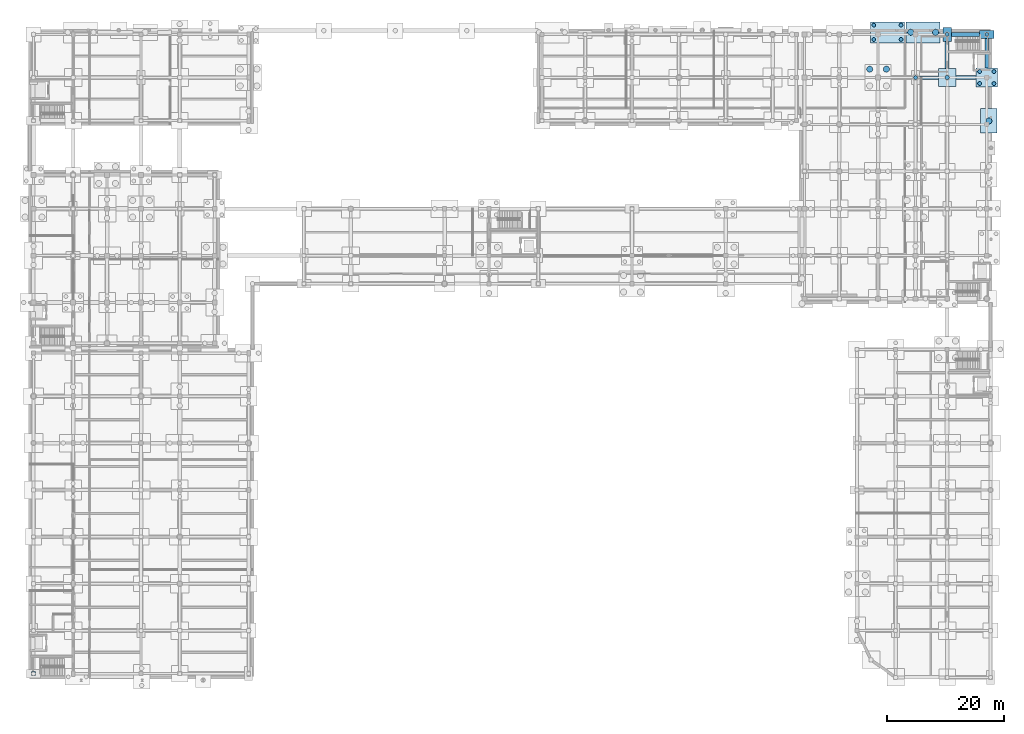
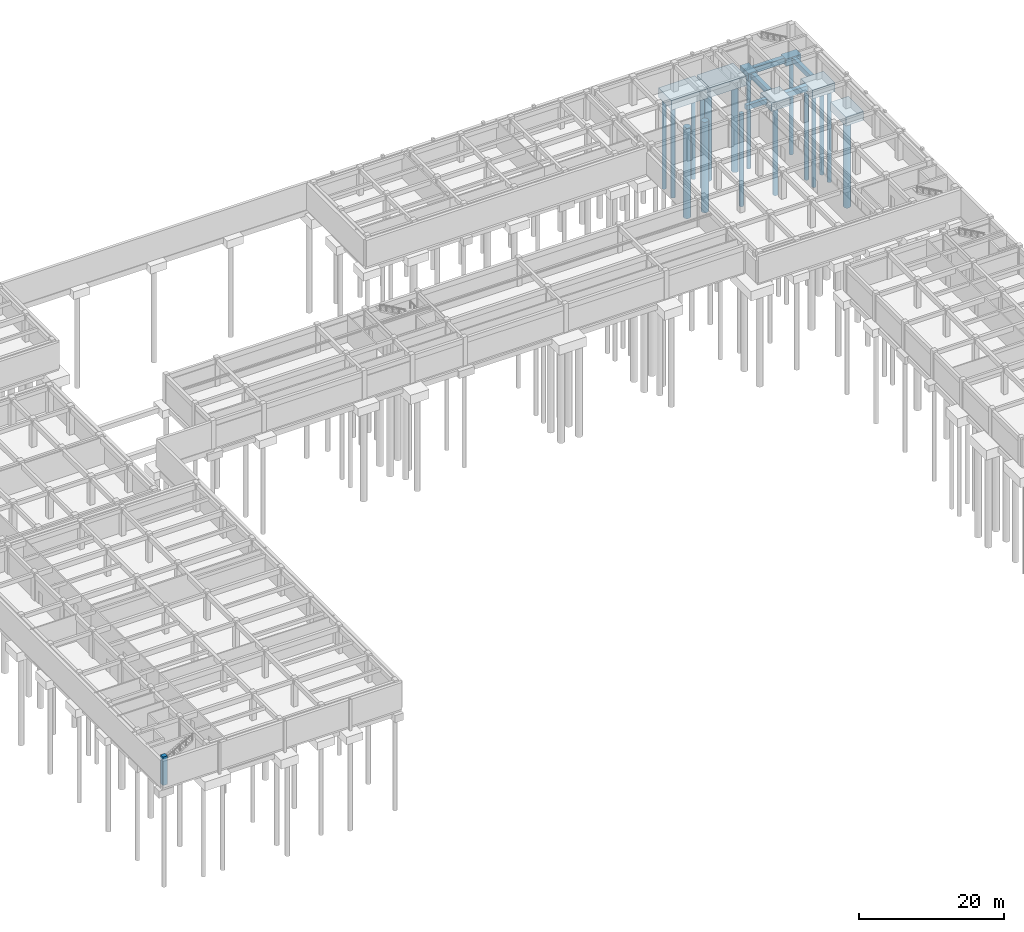
# One storey, part 12 of 35: 17 piles, 12 footings, 1 column.
"""IFC4 building model written with IfcOpenShell, lengths in metres."""

from ifc_helpers import new_model, si_unit, direction, frame, origin, origin_2d, place, context, subcontext, project, spatial, polyline, rectangle, circle, outline, extrude, material, layer, layer_set, material_profile, profile_set, type_object, element, save


model = new_model("IFC4")

# Units and contexts
model_context = context("Model", 3, precision=1e-05, world=origin(), true_north=direction((0.0, 1.0)))
body_context = subcontext(model_context, "Body", "Model", "MODEL_VIEW")
ifc_project = project(units=[si_unit("LENGTHUNIT", "METRE"), si_unit("AREAUNIT", "SQUARE_METRE"), si_unit("VOLUMEUNIT", "CUBIC_METRE"), si_unit("PLANEANGLEUNIT", "RADIAN"), si_unit("MASSUNIT", "GRAM", prefix="KILO")], contexts=[model_context])

# Site, building, storey
site_placement = place(None, origin())
site = spatial("IfcSite", under=ifc_project, at=site_placement, CompositionType="ELEMENT")
building_placement = place(site_placement, origin())
building = spatial("IfcBuilding", under=site, at=building_placement, Name="Cinchona Park Media Centre", CompositionType="ELEMENT")
storey_placement = place(building_placement, frame((0.0, 0.0, -4.800048828125)))
storey = spatial("IfcBuildingStorey", under=building, at=storey_placement, Name="B1", CompositionType="ELEMENT", Elevation=-4.800048828125)

# Footings
ifc_material_1 = material(Name="Concrete C40/50", Category="concrete")
ifc_layer_1 = layer(ifc_material_1, 0.800048828125)
ifc_layer_set_1 = layer_set([ifc_layer_1], Name="Concrete C40/50")
footing_type_1 = type_object("IfcFootingType", Name="FTG-BEAM-FB01", PredefinedType="FOOTING_BEAM", material=ifc_layer_set_1)
footing_1_placement = place(storey_placement, frame((0.0, 0.0, -1.280029296875)))
element("IfcFooting", 1, at=footing_1_placement, inside=storey, type_object=footing_type_1, Name="Ground Tie Beam FB01", PredefinedType="FOOTING_BEAM", context=body_context, shape_type="SweptSolid", body=[
    extrude(outline(polyline([(159.89990234375, 109.699951171875), (163.10009765625, 109.699951171875), (163.10009765625, 110.300048828125), (159.89990234375, 110.300048828125), (159.89990234375, 109.699951171875)])), origin(), (0.0, 0.0, 1.0), 0.800048828125),
])
footing_2_placement = place(storey_placement, frame((0.0, 0.0, -1.280029296875)))
element("IfcFooting", 2, at=footing_2_placement, inside=storey, type_object=footing_type_1, Name="Ground Tie Beam FB01", PredefinedType="FOOTING_BEAM", context=body_context, shape_type="SweptSolid", body=[
    extrude(outline(polyline([(171.06005859375, 111.60009765625), (171.659912109375, 111.60009765625), (171.659912109375, 116.659912109375), (171.06005859375, 116.659912109375), (171.06005859375, 111.60009765625)])), origin(), (0.0, 0.0, 1.0), 0.800048828125),
])
ifc_material_2 = material(Name="Concrete C40/50", Category="concrete")
ifc_layer_2 = layer(ifc_material_2, 0.89990234375)
ifc_layer_set_2 = layer_set([ifc_layer_2], Name="Concrete C40/50")
footing_type_2 = type_object("IfcFootingType", Name="FTG-BEAM-FB02", PredefinedType="FOOTING_BEAM", material=ifc_layer_set_2)
footing_3_placement = place(storey_placement, frame((0.0, 0.0, -1.3798828125)))
element("IfcFooting", 3, at=footing_3_placement, inside=storey, type_object=footing_type_2, Name="Ground Tie Beam FB02", PredefinedType="FOOTING_BEAM", context=body_context, shape_type="SweptSolid", body=[
    extrude(outline(polyline([(166.10009765625, 109.64990234375), (169.56005859375, 109.64990234375), (169.56005859375, 110.35009765625), (166.10009765625, 110.35009765625), (166.10009765625, 109.64990234375)])), origin(), (0.0, 0.0, 1.0), 0.89990234375),
])
footing_4_placement = place(storey_placement, frame((0.0, 0.0, -1.3798828125)))
element("IfcFooting", 4, at=footing_4_placement, inside=storey, type_object=footing_type_2, Name="Ground Tie Beam FB02", PredefinedType="FOOTING_BEAM", context=body_context, shape_type="SweptSolid", body=[
    extrude(outline(polyline([(165.300048828125, 117.010009765625), (170.159912109375, 117.010009765625), (170.159912109375, 117.7099609375), (165.300048828125, 117.7099609375), (165.300048828125, 117.010009765625)])), origin(), (0.0, 0.0, 1.0), 0.89990234375),
])
footing_5_placement = place(storey_placement, frame((0.0, 0.0, -1.3798828125)))
element("IfcFooting", 5, at=footing_5_placement, inside=storey, type_object=footing_type_2, Name="Ground Tie Beam FB02", PredefinedType="FOOTING_BEAM", context=body_context, shape_type="SweptSolid", body=[
    extrude(outline(polyline([(164.25, 111.5), (164.949951171875, 111.5), (164.949951171875, 116.159912109375), (164.25, 116.159912109375), (164.25, 111.5)])), origin(), (0.0, 0.0, 1.0), 0.89990234375),
])

# Piles
ifc_material_3 = material(Name="Concrete C40/50", Category="concrete")
ifc_material_profile_1 = material_profile(ifc_material_3, circle(Radius=0.52490234375, at=origin_2d()), Name="BORED PILE 1050")
ifc_profile_set_1 = profile_set([ifc_material_profile_1], Name="Concrete C40/50")
pile_type_1 = type_object("IfcPileType", Name="PILE-BP1050", PredefinedType="BORED", material=ifc_profile_set_1)
for number, where, z_axis, x_axis, name in (
    (6, (151.375, 111.425048828125, -1.97998046875), (0.0, 0.0, -1.0), (1.0, 0.0, 0.0), "Bored Pile P1050"),
    (7, (154.22509765625, 111.425048828125, -1.97998046875), (0.0, 0.0, -1.0), (1.0, 0.0, 0.0), "Bored Pile P1050"),
    (8, (158.375, 117.719970703125, -1.97998046875), (0.0, 0.0, -1.0), (1.0, 0.0, 0.0), "Bored Pile P1050"),
    (9, (162.625, 117.719970703125, -1.97998046875), (0.0, 0.0, -1.0), (1.0, 0.0, 0.0), "Bored Pile P1050"),
):
    element("IfcPile", number, at=place(storey_placement, frame(where, z_axis=z_axis, x_axis=x_axis)), inside=storey, type_object=pile_type_1, Name=name, PredefinedType="BORED", context=body_context, shape_type="SweptSolid", body=[
        extrude(circle(Radius=0.52490234375, at=origin_2d()), origin(), (0.0, 0.0, 1.0), 15.219970703125),
    ])
pile_1_placement = place(storey_placement, frame((171.719970703125, 102.60009765625, -1.8798828125), z_axis=(0.0, 0.0, -1.0), x_axis=(1.0, 0.0, 0.0)))
element("IfcPile", 10, at=pile_1_placement, inside=storey, type_object=pile_type_1, Name="Bored Pile P1050", PredefinedType="BORED", context=body_context, shape_type="SweptSolid", body=[
    extrude(circle(Radius=0.52490234375, at=origin_2d()), origin(), (0.0, 0.0, 1.0), 15.320068359375),
])
ifc_material_4 = material(Name="Concrete C40/50", Category="concrete")
ifc_material_profile_2 = material_profile(ifc_material_4, circle(Radius=0.324951171875, at=origin_2d()), Name="BORED PILE 650")
ifc_profile_set_2 = profile_set([ifc_material_profile_2], Name="Concrete C40/50")
pile_type_2 = type_object("IfcPileType", Name="PILE-BP650", PredefinedType="BORED", material=ifc_profile_set_2)
for number, where, z_axis, x_axis, name in (
    (11, (152.074951171875, 116.4951171875, -1.97998046875), (0.0, 0.0, -1.0), (1.0, 0.0, 0.0), "Bored Pile P650"),
    (12, (152.074951171875, 118.945068359375, -1.97998046875), (0.0, 0.0, -1.0), (1.0, 0.0, 0.0), "Bored Pile P650"),
    (13, (156.72509765625, 116.4951171875, -1.97998046875), (0.0, 0.0, -1.0), (1.0, 0.0, 0.0), "Bored Pile P650"),
    (14, (156.72509765625, 118.945068359375, -1.97998046875), (0.0, 0.0, -1.0), (1.0, 0.0, 0.0), "Bored Pile P650"),
):
    element("IfcPile", number, at=place(storey_placement, frame(where, z_axis=z_axis, x_axis=x_axis)), inside=storey, type_object=pile_type_2, Name=name, PredefinedType="BORED", context=body_context, shape_type="SweptSolid", body=[
        extrude(circle(Radius=0.324951171875, at=origin_2d()), origin(), (0.0, 0.0, 1.0), 15.219970703125),
    ])
for number, where, z_axis, x_axis, name in (
    (15, (159.199951171875, 110.0, -1.579833984375), (0.0, 0.0, -1.0), (1.0, 0.0, 0.0), "Bored Pile P650"),
    (16, (164.60009765625, 117.360107421875, -1.579833984375), (0.0, 0.0, -1.0), (1.0, 0.0, 0.0), "Bored Pile P650"),
):
    element("IfcPile", number, at=place(storey_placement, frame(where, z_axis=z_axis, x_axis=x_axis)), inside=storey, type_object=pile_type_2, Name=name, PredefinedType="BORED", context=body_context, shape_type="SweptSolid", body=[
        extrude(circle(Radius=0.324951171875, at=origin_2d()), origin(), (0.0, 0.0, 1.0), 15.6201171875),
    ])
for number, where, z_axis, x_axis, name in (
    (17, (170.135009765625, 108.97509765625, -1.85986328125), (0.0, 0.0, -1.0), (1.0, 0.0, 0.0), "Bored Pile P650"),
    (18, (170.135009765625, 111.02490234375, -1.85986328125), (0.0, 0.0, -1.0), (1.0, 0.0, 0.0), "Bored Pile P650"),
    (19, (172.5849609375, 108.97509765625, -1.85986328125), (0.0, 0.0, -1.0), (1.0, 0.0, 0.0), "Bored Pile P650"),
    (20, (172.5849609375, 111.02490234375, -1.85986328125), (0.0, 0.0, -1.0), (1.0, 0.0, 0.0), "Bored Pile P650"),
):
    element("IfcPile", number, at=place(storey_placement, frame(where, z_axis=z_axis, x_axis=x_axis)), inside=storey, type_object=pile_type_2, Name=name, PredefinedType="BORED", context=body_context, shape_type="SweptSolid", body=[
        extrude(circle(Radius=0.324951171875, at=origin_2d()), origin(), (0.0, 0.0, 1.0), 15.340087890625),
    ])
pile_2_placement = place(storey_placement, frame((171.360107421875, 117.360107421875, -1.579833984375), z_axis=(0.0, 0.0, -1.0), x_axis=(1.0, 0.0, 0.0)))
element("IfcPile", 21, at=pile_2_placement, inside=storey, type_object=pile_type_2, Name="Bored Pile P650", PredefinedType="BORED", context=body_context, shape_type="SweptSolid", body=[
    extrude(circle(Radius=0.324951171875, at=origin_2d()), origin(), (0.0, 0.0, 1.0), 15.6201171875),
])
ifc_material_5 = material(Name="Concrete C40/50", Category="concrete")
ifc_material_profile_3 = material_profile(ifc_material_5, circle(Radius=0.375, at=origin_2d()), Name="BORED PILE 750")
ifc_profile_set_3 = profile_set([ifc_material_profile_3], Name="Concrete C40/50")
pile_type_3 = type_object("IfcPileType", Name="PILE-BP750", PredefinedType="BORED", material=ifc_profile_set_3)
pile_3_placement = place(storey_placement, frame((164.60009765625, 110.0, -1.780029296875), z_axis=(0.0, 0.0, -1.0), x_axis=(1.0, 0.0, 0.0)))
element("IfcPile", 22, at=pile_3_placement, inside=storey, type_object=pile_type_3, Name="Bored Pile P750", PredefinedType="BORED", context=body_context, shape_type="SweptSolid", body=[
    extrude(circle(Radius=0.375, at=origin_2d()), origin(), (0.0, 0.0, 1.0), 15.419921875),
])

# Footings
ifc_material_6 = material(Name="Concrete C40/50", Category="concrete")
ifc_layer_3 = layer(ifc_material_6, 1.199951171875)
ifc_layer_set_3 = layer_set([ifc_layer_3], Name="Concrete C40/50")
footing_type_3 = type_object("IfcFootingType", Name="PILE-CAP-PC01", PredefinedType="PILE_CAP", material=ifc_layer_set_3)
footing_6_placement = place(storey_placement, frame((171.360107421875, 117.360107421875, -1.6796875), z_axis=(0.0, 0.0, 1.0), x_axis=(1.0, 0.0, 0.0)))
element("IfcFooting", 23, at=footing_6_placement, inside=storey, type_object=footing_type_3, Name="Pile Cap PC01", PredefinedType="PILE_CAP", context=body_context, shape_type="SweptSolid", body=[
    extrude(rectangle(XDim=2.39990234375, YDim=1.39990234375, at=origin_2d()), origin(), (0.0, 0.0, 1.0), 1.199951171875),
])
ifc_material_7 = material(Name="Concrete C40/50", Category="concrete")
ifc_layer_4 = layer(ifc_material_7, 1.199951171875)
ifc_layer_set_4 = layer_set([ifc_layer_4], Name="Concrete C40/50")
footing_type_4 = type_object("IfcFootingType", Name="PILE-CAP-PC02", PredefinedType="PILE_CAP", material=ifc_layer_set_4)
footing_7_placement = place(storey_placement, frame((164.60009765625, 117.360107421875, -1.6796875), z_axis=(0.0, 0.0, 1.0), x_axis=(1.0, 0.0, 0.0)))
element("IfcFooting", 24, at=footing_7_placement, inside=storey, type_object=footing_type_4, Name="Pile Cap PC02", PredefinedType="PILE_CAP", context=body_context, shape_type="SweptSolid", body=[
    extrude(rectangle(XDim=1.39990234375, YDim=2.39990234375, at=origin_2d()), origin(), (0.0, 0.0, 1.0), 1.199951171875),
])
ifc_material_8 = material(Name="Concrete C40/50", Category="concrete")
ifc_layer_5 = layer(ifc_material_8, 1.39990234375)
ifc_layer_set_5 = layer_set([ifc_layer_5], Name="Concrete C40/50")
footing_type_5 = type_object("IfcFootingType", Name="PILE-CAP-PC05", PredefinedType="PILE_CAP", material=ifc_layer_set_5)
footing_8_placement = place(storey_placement, frame((164.60009765625, 110.0, -1.8798828125), z_axis=(0.0, 0.0, 1.0), x_axis=(1.0, 0.0, 0.0)))
element("IfcFooting", 25, at=footing_8_placement, inside=storey, type_object=footing_type_5, Name="Pile Cap PC05", PredefinedType="PILE_CAP", context=body_context, shape_type="SweptSolid", body=[
    extrude(rectangle(XDim=3.0, YDim=3.0, at=origin_2d()), origin(), (0.0, 0.0, 1.0), 1.39990234375),
])
ifc_material_9 = material(Name="Concrete C40/50", Category="concrete")
ifc_layer_6 = layer(ifc_material_9, 1.5)
ifc_layer_set_6 = layer_set([ifc_layer_6], Name="Concrete C40/50")
footing_type_6 = type_object("IfcFootingType", Name="PILE-CAP-PC10", PredefinedType="PILE_CAP", material=ifc_layer_set_6)
footing_9_placement = place(storey_placement, frame((171.719970703125, 102.60009765625, -1.97998046875), z_axis=(0.0, 0.0, 1.0), x_axis=(1.0, 0.0, 0.0)))
element("IfcFooting", 26, at=footing_9_placement, inside=storey, type_object=footing_type_6, Name="Pile Cap PC10", PredefinedType="PILE_CAP", context=body_context, shape_type="SweptSolid", body=[
    extrude(rectangle(XDim=2.800048828125, YDim=4.199951171875, at=origin_2d()), origin(), (0.0, 0.0, 1.0), 1.5),
])
ifc_material_10 = material(Name="Concrete C40/50", Category="concrete")
ifc_layer_7 = layer(ifc_material_10, 1.60009765625)
ifc_layer_set_7 = layer_set([ifc_layer_7], Name="Concrete C40/50")
footing_type_7 = type_object("IfcFootingType", Name="PILE-CAP-PC14", PredefinedType="PILE_CAP", material=ifc_layer_set_7)
for number, where, z_axis, x_axis, name in (
    (27, (154.39990234375, 117.719970703125, -2.080078125), (0.0, 0.0, 1.0), (1.0, 0.0, 0.0), "Pile Cap PC14"),
    (28, (160.5, 117.719970703125, -2.080078125), (0.0, 0.0, 1.0), (1.0, 0.0, 0.0), "Pile Cap PC14"),
):
    element("IfcFooting", number, at=place(storey_placement, frame(where, z_axis=z_axis, x_axis=x_axis)), inside=storey, type_object=footing_type_7, Name=name, PredefinedType="PILE_CAP", context=body_context, shape_type="SweptSolid", body=[
        extrude(rectangle(XDim=5.800048828125, YDim=3.60009765625, at=origin_2d()), origin(), (0.0, 0.0, 1.0), 1.60009765625),
    ])
ifc_material_11 = material(Name="Concrete C40/50", Category="concrete")
ifc_layer_8 = layer(ifc_material_11, 1.47998046875)
ifc_layer_set_8 = layer_set([ifc_layer_8], Name="Concrete C40/50")
footing_type_8 = type_object("IfcFootingType", Name="PILE-CAP-PC15", PredefinedType="PILE_CAP", material=ifc_layer_set_8)
footing_10_placement = place(storey_placement, frame((171.360107421875, 110.0, -1.9599609375), z_axis=(0.0, 0.0, 1.0), x_axis=(1.0, 0.0, 0.0)))
element("IfcFooting", 29, at=footing_10_placement, inside=storey, type_object=footing_type_8, Name="Pile Cap PC15", PredefinedType="PILE_CAP", context=body_context, shape_type="SweptSolid", body=[
    extrude(rectangle(XDim=3.60009765625, YDim=3.199951171875, at=origin_2d()), origin(), (0.0, 0.0, 1.0), 1.47998046875),
])

# Column
ifc_material_12 = material(Name="Concrete C40/50", Category="concrete")
ifc_material_profile_4 = material_profile(ifc_material_12, rectangle(XDim=0.699951171875, YDim=0.699951171875, at=origin_2d()), Name="RC 700X700")
ifc_profile_set_4 = profile_set([ifc_material_profile_4], Name="Concrete C40/50")
column_type = type_object("IfcColumnType", Name="COL-C02-RC700X700", PredefinedType="COLUMN", material=ifc_profile_set_4)
column_placement = place(storey_placement, frame((8.639892578125, 8.239990234375, 0.0), z_axis=(0.0, 0.0, 1.0), x_axis=(1.0, 0.0, 0.0)))
element("IfcColumn", 30, at=column_placement, inside=storey, type_object=column_type, Name="Column C02 B1", PredefinedType="COLUMN", context=body_context, shape_type="SweptSolid", body=[
    extrude(rectangle(XDim=0.699951171875, YDim=0.699951171875, at=origin_2d()), origin(), (0.0, 0.0, 1.0), 4.800048828125),
])

save(model, "model.ifc")
